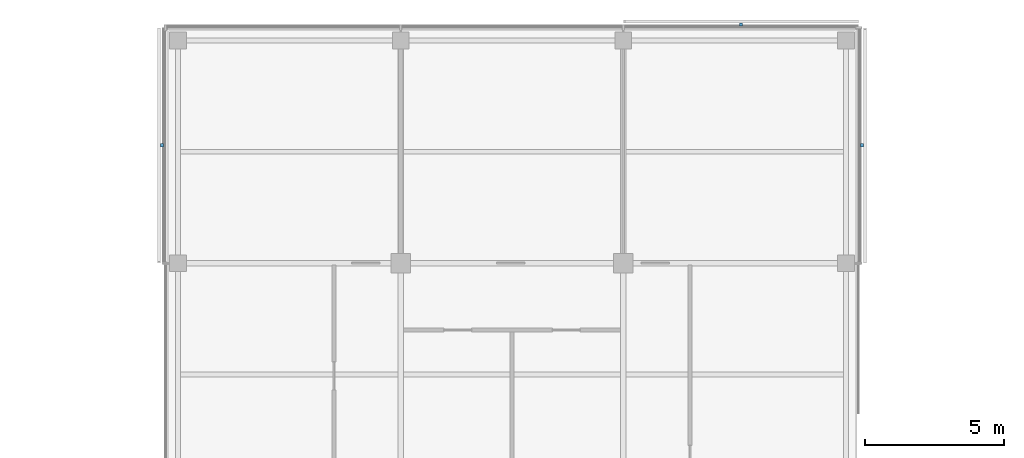
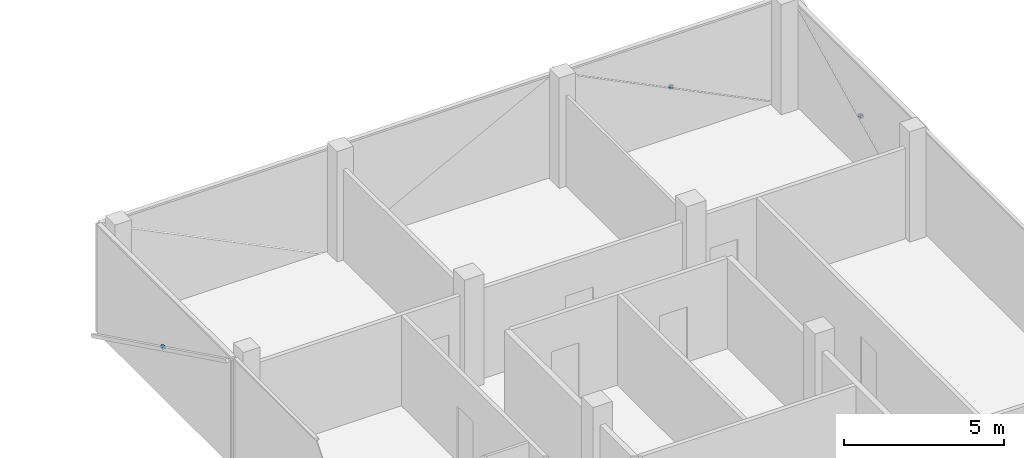
# One storey, part 15 of 16: 3 discrete accessories.
"""IFC4 building model written with IfcOpenShell, lengths in metres."""

import ifcopenshell
import ifcopenshell.guid

model = None  # the IFC model being written
_history = None  # IfcOwnerHistory: only IFC2X3 demands one
_inside = {}  # id of a spatial element -> (the spatial element, [elements in it])
_under = {}  # id of a project, library or spatial element -> (it, [spatial elements below it])
_declared = {}  # id of a project -> (the project, [libraries it declares])
_typed = {}  # id of a type object -> (the type object, [elements of that type])
_made_of = {}  # id of a material, layer set ... -> (it, [elements and type objects made of it])


def new_model(schema):
    """Start an empty IFC model of exactly this schema.

    Asked for "IFC4X3", IfcOpenShell would pick the latest addendum, in which some entities
    have other attributes; the version numbers below select the first issue.
    IFC2X3 requires an IfcOwnerHistory on every rooted entity: one is made here for all.
    """
    global model, _history
    if schema == "IFC4X3":
        model = ifcopenshell.file(schema_version=(4, 3, 0, 0))
    else:
        model = ifcopenshell.file(schema=schema)
    _inside.clear()
    _under.clear()
    _declared.clear()
    _typed.clear()
    _made_of.clear()
    _history = None
    if model.schema == "IFC2X3":
        org = make("IfcOrganization", Name="unknown")
        user = make(
            "IfcPersonAndOrganization",
            ThePerson=make("IfcPerson", FamilyName="unknown"),
            TheOrganization=org,
        )
        app = make(
            "IfcApplication",
            ApplicationDeveloper=org,
            Version="unknown",
            ApplicationFullName="unknown",
            ApplicationIdentifier="unknown",
        )
        _history = make(
            "IfcOwnerHistory",
            OwningUser=user,
            OwningApplication=app,
            ChangeAction="ADDED",
            CreationDate=0,
        )
    return model


def make(cls, **values):
    """One entity of the class cls with the attributes given. An attribute that is None is left unset."""
    return model.create_entity(
        cls, **{name: value for name, value in values.items() if value is not None}
    )


def rooted(cls, **values):
    """An entity with a GlobalId (a new one), such as an element, a storey or a relation."""
    return make(cls, GlobalId=ifcopenshell.guid.new(), OwnerHistory=_history, **values)


def si_unit(unit_type, name, prefix=None):
    """IfcSIUnit, for example si_unit("LENGTHUNIT", "METRE", prefix="MILLI")."""
    return make("IfcSIUnit", UnitType=unit_type, Prefix=prefix, Name=name)


def assignment(units):
    """IfcUnitAssignment: the units of a project."""
    return None if units is None else make("IfcUnitAssignment", Units=units)


def point(xyz):
    """IfcCartesianPoint."""
    return None if xyz is None else make("IfcCartesianPoint", Coordinates=xyz)


def direction(xyz):
    """IfcDirection."""
    return None if xyz is None else make("IfcDirection", DirectionRatios=xyz)


def frame(location, z_axis=None, x_axis=None):
    """IfcAxis2Placement3D, a coordinate frame: its origin and axes. An axis left out is left unset."""
    return make(
        "IfcAxis2Placement3D",
        Location=point(location),
        Axis=direction(z_axis),
        RefDirection=direction(x_axis),
    )


def frame_2d(location, x_axis=None):
    """IfcAxis2Placement2D, a coordinate frame in the plane: its origin and x axis."""
    return make(
        "IfcAxis2Placement2D", Location=point(location), RefDirection=direction(x_axis)
    )


def origin():
    """The frame at (0, 0, 0) with its axes left unset."""
    return frame((0.0, 0.0, 0.0))


def origin_2d():
    """The frame at (0, 0) in the plane with its x axis left unset."""
    return frame_2d((0.0, 0.0))


def place(relative_to, where):
    """IfcLocalPlacement: puts the frame where relative to a parent placement (None: the world)."""
    return make(
        "IfcLocalPlacement", PlacementRelTo=relative_to, RelativePlacement=where
    )


def context(
    kind, dimensions, precision=None, world=None, true_north=None, identifier=None
):
    """IfcGeometricRepresentationContext, for example the 3D "Model" context."""
    return make(
        "IfcGeometricRepresentationContext",
        ContextIdentifier=identifier,
        ContextType=kind,
        CoordinateSpaceDimension=dimensions,
        Precision=precision,
        WorldCoordinateSystem=world,
        TrueNorth=true_north,
    )


def subcontext(parent, identifier, kind, view, scale=None):
    """IfcGeometricRepresentationSubContext, for example "Body" below "Model"."""
    return make(
        "IfcGeometricRepresentationSubContext",
        ContextIdentifier=identifier,
        ContextType=kind,
        ParentContext=parent,
        TargetScale=scale,
        TargetView=view,
    )


def project(units=None, contexts=None):
    """IfcProject with its units and contexts."""
    return rooted(
        "IfcProject",
        Name="project",
        RepresentationContexts=contexts,
        UnitsInContext=assignment(units),
    )


def spatial(cls, under=None, at=None, **own):
    """A site, building, storey or space (cls), placed at a placement, below another one or the project."""
    s = rooted(cls, ObjectPlacement=at, **own)
    if under is not None:
        _under.setdefault(under.id(), (under, []))[1].append(s)
    return s


def profile(cls, at=None, kind="AREA", **sizes):
    """A parametric profile (cls). Its sizes go by their IFC names, for example OverallWidth=200.0."""
    return make(cls, ProfileType=kind, Position=at, **sizes)


def rectangle(**sizes):
    """IfcRectangleProfileDef."""
    return profile("IfcRectangleProfileDef", **sizes)


def extrude(swept, where, along, depth):
    """IfcExtrudedAreaSolid: the profile swept, set in the frame where, extruded along a direction by depth."""
    return make(
        "IfcExtrudedAreaSolid",
        SweptArea=swept,
        Position=where,
        ExtrudedDirection=direction(along),
        Depth=depth,
    )


def shape(context_of_items, identifier, shape_type, items):
    """IfcShapeRepresentation: the items that make up one representation, for example the "Body"."""
    return make(
        "IfcShapeRepresentation",
        ContextOfItems=context_of_items,
        RepresentationIdentifier=identifier,
        RepresentationType=shape_type,
        Items=items,
    )


def material(Name=None, Category=None):
    """IfcMaterial."""
    return make("IfcMaterial", Name=Name, Category=Category)


def made_of(thing, what):
    """Note that an element or type object is made of a material, layer set ...; save() writes the relation."""
    if what is not None:
        _made_of.setdefault(what.id(), (what, []))[1].append(thing)
    return thing


def type_object(cls, material=None, **own):
    """A type object (cls), such as IfcWallType, which elements share."""
    return made_of(rooted(cls, **own), material)


def element(
    cls,
    number,
    at=None,
    inside=None,
    cuts=None,
    type_object=None,
    material=None,
    context=None,
    identifier="Body",
    shape_type=None,
    held_by="IfcProductDefinitionShape",
    body=None,
    shapes=None,
    **own,
):
    """One element of the class cls, such as IfcWall. Its Tag is "e" and its number.

    at: its placement. inside: the storey or other place that contains it. cuts: it is an
    opening in that element (IfcRelVoidsElement). A single representation is given by context,
    identifier, shape_type and body (its items); several are given by shapes. held_by: the class
    of the entity that holds the representations. save() writes the other relations.
    """
    e = rooted(cls, Tag="e%d" % number, ObjectPlacement=at, **own)
    if body is not None:
        shapes = [shape(context, identifier, shape_type, body)]
    if shapes is not None:
        e.Representation = make(held_by, Representations=shapes)
    if inside is not None:
        _inside.setdefault(inside.id(), (inside, []))[1].append(e)
    if cuts is not None:
        rooted(
            "IfcRelVoidsElement", RelatingBuildingElement=cuts, RelatedOpeningElement=e
        )
    if type_object is not None:
        _typed.setdefault(type_object.id(), (type_object, []))[1].append(e)
    return made_of(e, material)


def aggregate(whole, parts):
    """IfcRelAggregates: a whole, such as a stair, and the parts it consists of."""
    return rooted("IfcRelAggregates", RelatingObject=whole, RelatedObjects=parts)


def save(model, path):
    """Write the relations noted so far, then the file.

    IfcRelAggregates (storeys below a building ...), IfcRelContainedInSpatialStructure (elements
    in a storey), IfcRelDefinesByType, IfcRelAssociatesMaterial and IfcRelDeclares: one each for
    every whole, place, type object, material and project.
    """
    for whole, parts in _under.values():
        aggregate(whole, parts)
    for where, things in _inside.values():
        rooted(
            "IfcRelContainedInSpatialStructure",
            RelatedElements=things,
            RelatingStructure=where,
        )
    for kind, things in _typed.values():
        rooted("IfcRelDefinesByType", RelatedObjects=things, RelatingType=kind)
    for what, things in _made_of.values():
        rooted("IfcRelAssociatesMaterial", RelatedObjects=things, RelatingMaterial=what)
    for by, libraries in _declared.values():
        rooted("IfcRelDeclares", RelatingContext=by, RelatedDefinitions=libraries)
    model.write(path)


model = new_model("IFC4")

# Units and contexts
model_context = context("Model", 3, precision=1e-05, world=origin(), true_north=direction((0.0, 1.0)))
body_context = subcontext(model_context, "Body", "Model", "MODEL_VIEW")
ifc_project = project(units=[si_unit("LENGTHUNIT", "METRE"), si_unit("AREAUNIT", "SQUARE_METRE"), si_unit("VOLUMEUNIT", "CUBIC_METRE"), si_unit("PLANEANGLEUNIT", "RADIAN"), si_unit("MASSUNIT", "GRAM", prefix="KILO")], contexts=[model_context])

# Site, building, storey
site_placement = place(None, origin())
site = spatial("IfcSite", under=ifc_project, at=site_placement, CompositionType="ELEMENT")
building_placement = place(site_placement, origin())
building = spatial("IfcBuilding", under=site, at=building_placement, Name="Crosswind Convention Tower", CompositionType="ELEMENT")
storey_placement = place(building_placement, frame((0.0, 0.0, 249.300048828125)))
storey = spatial("IfcBuildingStorey", under=building, at=storey_placement, Name="L53", CompositionType="ELEMENT", Elevation=249.300048828125)

# Discrete accessories
ifc_material = material(Name="Stainless steel", Category="steel")
discrete_accessory_type = type_object("IfcDiscreteAccessoryType", Name="BAGUETTE BRACKET BK3", PredefinedType="BRACKET", material=ifc_material)
for number, where, z_axis, x_axis, name in (
    (1, (137.575927734375, 124.22998046875, 1.704833984375), (0.0, 0.0, 1.0), (0.0, 1.0, 0.0), "BK3 baguette bracket"),
    (2, (133.22998046875, 128.575927734375, 1.704833984375), (0.0, 0.0, 1.0), (-1.0, 0.0, 0.0), "BK3 baguette bracket"),
    (3, (112.424072265625, 124.22998046875, 1.704833984375), (0.0, 0.0, 1.0), (0.0, -1.0, 0.0), "BK3 baguette bracket"),
):
    element("IfcDiscreteAccessory", number, at=place(storey_placement, frame(where, z_axis=z_axis, x_axis=x_axis)), inside=storey, type_object=discrete_accessory_type, Name=name, PredefinedType="BRACKET", context=body_context, shape_type="SweptSolid", body=[
        extrude(rectangle(XDim=0.1201171875, YDim=0.10009765625, at=origin_2d()), origin(), (0.0, 0.0, 1.0), 0.1201171875),
    ])

save(model, "model.ifc")
